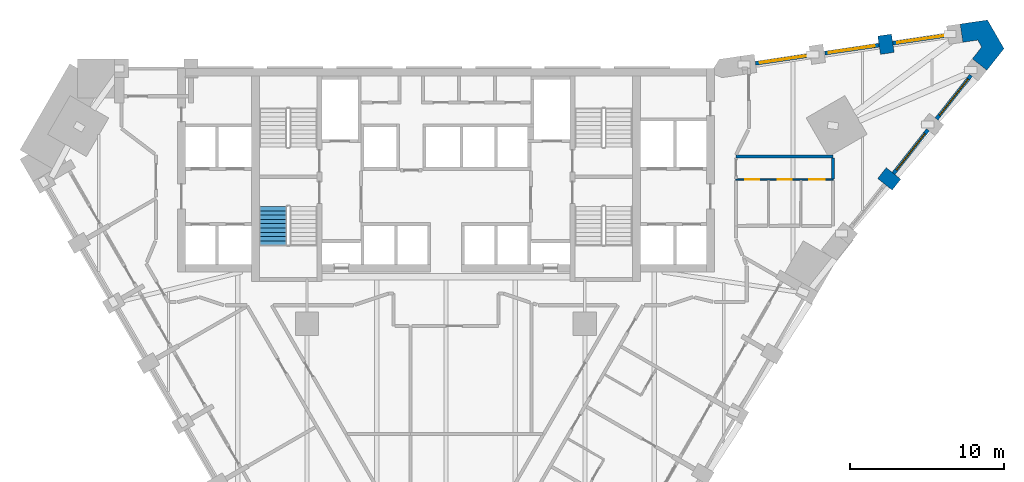
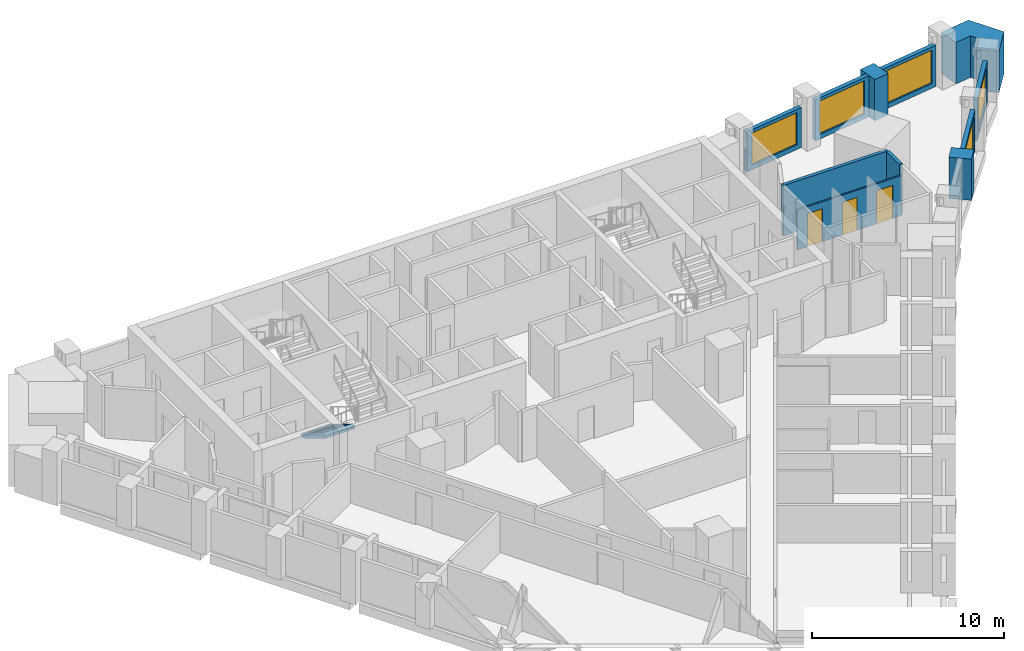
# One storey, part 9 of 11: 11 walls, 5 windows, 3 doors, 1 stair flight, 8 openings, 1 element without a shape of its own.
"""IFC4 building model written with IfcOpenShell, lengths in metres."""

from ifc_helpers import new_model, si_unit, direction, frame, frame_2d, origin, place, context, subcontext, project, spatial, polyline, rectangle, outline, extrude, faceted_brep, source, transform, mapped, material, layer, layer_set, type_object, element, fill, aggregate, save


model = new_model("IFC4")

# Units and contexts
model_context = context("Model", 3, precision=1e-05, world=origin(), true_north=direction((0.0, 1.0)))
body_context = subcontext(model_context, "Body", "Model", "MODEL_VIEW")
ifc_project = project(units=[si_unit("LENGTHUNIT", "METRE"), si_unit("AREAUNIT", "SQUARE_METRE"), si_unit("VOLUMEUNIT", "CUBIC_METRE"), si_unit("PLANEANGLEUNIT", "RADIAN"), si_unit("MASSUNIT", "GRAM", prefix="KILO")], contexts=[model_context])

# Site, building, storey
site_placement = place(None, origin())
site = spatial("IfcSite", under=ifc_project, at=site_placement, CompositionType="ELEMENT")
building_placement = place(site_placement, origin())
building = spatial("IfcBuilding", under=site, at=building_placement, Name="Calabash Gate Tower", CompositionType="ELEMENT")
storey_placement = place(building_placement, frame((0.0, 0.0, 119.0)))
storey = spatial("IfcBuildingStorey", under=building, at=storey_placement, Name="L27", CompositionType="ELEMENT", Elevation=119.0)

# Walls
ifc_material_1 = material(Name="Terracotta brick masonry, exposed face", Category="masonry")
ifc_layer_1 = layer(ifc_material_1, 1.199951171875)
ifc_layer_set_1 = layer_set([ifc_layer_1], Name="Brick end wall 1200")
wall_type_1 = type_object("IfcWallType", Name="Brick end wall 1200", PredefinedType="SOLIDWALL", material=ifc_layer_set_1)
for number, where, z_axis, x_axis, name in (
    (1, (29.204833984375, 11.5224609375, 0.0), (0.0, 0.0, 1.0), (-0.784330409431, 0.620343299184, 0.0), "Brick pier S07 wedge3.1"),
    (2, (28.43701171875, 21.217041015625, 0.0), (0.0, 0.0, 1.0), (0.145066385332, -0.989421924078, 0.0), "Brick pier S07 wedge5.1"),
):
    element("IfcWall", number, at=place(storey_placement, frame(where, z_axis=z_axis, x_axis=x_axis)), inside=storey, type_object=wall_type_1, Name=name, PredefinedType="SOLIDWALL", context=body_context, shape_type="SweptSolid", body=[
        extrude(rectangle(XDim=1.199951171875, YDim=0.89990234375, at=frame_2d((0.60009765625, 0.0))), origin(), (0.0, 0.0, 1.0), 2.6298828125),
    ])
wall_1_placement = place(storey_placement, origin())
element("IfcWall", 3, at=wall_1_placement, inside=storey, type_object=wall_type_1, Name="Brick end wall S07 2", PredefinedType="SOLIDWALL", context=body_context, shape_type="SweptSolid", body=[
    extrude(outline(polyline([(35.066650390625, 18.934814453125), (36.176513671875, 20.337890625), (35.104736328125, 22.1943359375), (33.334716796875, 21.934814453125), (33.5087890625, 20.74755859375), (34.472900390625, 20.888916015625), (34.72998046875, 20.443359375), (34.12548828125, 19.67919921875), (35.066650390625, 18.934814453125)])), origin(), (0.0, 0.0, 1.0), 2.64990234375),
])

# Wall, openings, doors
ifc_material_2 = material(Name="Gypsum board on steel studs, mineral wool", Category="steel")
ifc_layer_2 = layer(ifc_material_2, 0.10009765625)
ifc_layer_set_2 = layer_set([ifc_layer_2], Name="Partition 100 gypsum board")
wall_type_2 = type_object("IfcWallType", Name="Partition 100 gypsum board", PredefinedType="PARTITIONING", material=ifc_layer_set_2)
wall_2_placement = place(storey_placement, frame((18.80029296875, 11.850341796875, 0.0), z_axis=(0.0, 0.0, 1.0), x_axis=(1.0, 0.0, 0.0)))
wall_2 = element("IfcWall", 4, at=wall_2_placement, inside=storey, type_object=wall_type_2, Name="Partition", PredefinedType="PARTITIONING", context=body_context, shape_type="SweptSolid", body=[
    extrude(rectangle(XDim=6.2998046875, YDim=0.10009765625, at=frame_2d((3.14990234375, 0.0))), origin(), (0.0, 0.0, 1.0), 2.552001953125),
])
opening_1_placement = place(wall_2_placement, frame((0.599853515625, 0.0, 0.0)))
opening_1 = element("IfcOpeningElement", 5, at=opening_1_placement, cuts=wall_2, Name="Opening 25-27-019", PredefinedType="OPENING", context=body_context, shape_type="SweptSolid", body=[
    extrude(rectangle(XDim=0.89990234375, YDim=2.10009765625, at=frame_2d((0.449951171875, 1.050048828125))), frame((0.0, 0.06005859375, 0.0), z_axis=(0.0, -1.0, 0.0), x_axis=(1.0, 0.0, 0.0)), (0.0, 0.0, 1.0), 0.1201171875),
])
opening_2_placement = place(wall_2_placement, frame((2.699951171875, 0.0, 0.0)))
opening_2 = element("IfcOpeningElement", 6, at=opening_2_placement, cuts=wall_2, Name="Opening 25-27-020", PredefinedType="OPENING", context=body_context, shape_type="SweptSolid", body=[
    extrude(rectangle(XDim=0.89990234375, YDim=2.10009765625, at=frame_2d((0.449951171875, 1.050048828125))), frame((0.0, 0.06005859375, 0.0), z_axis=(0.0, -1.0, 0.0), x_axis=(1.0, 0.0, 0.0)), (0.0, 0.0, 1.0), 0.1201171875),
])
opening_3_placement = place(wall_2_placement, frame((4.75, 0.0, 0.0)))
opening_3 = element("IfcOpeningElement", 7, at=opening_3_placement, cuts=wall_2, Name="Opening 25-27-021", PredefinedType="OPENING", context=body_context, shape_type="SweptSolid", body=[
    extrude(rectangle(XDim=1.0, YDim=2.10009765625, at=frame_2d((0.5, 1.050048828125))), frame((0.0, 0.06005859375, 0.0), z_axis=(0.0, -1.0, 0.0), x_axis=(1.0, 0.0, 0.0)), (0.0, 0.0, 1.0), 0.1201171875),
])
ifc_material_3 = material(Name="Painted timber door", Category="wood")
door_type_1 = type_object("IfcDoorType", Name="WD1 WC door 900x2100", OperationType="NOTDEFINED", PredefinedType="DOOR", material=ifc_material_3)
door_1_placement = place(opening_1_placement, origin())
door_1 = element("IfcDoor", 8, at=door_1_placement, inside=storey, type_object=door_type_1, Name="WC door", OperationType="SINGLE_SWING_RIGHT", OverallHeight=2.10009765625, OverallWidth=0.89990234375, PredefinedType="DOOR", context=body_context, shape_type="SweptSolid", body=[
    extrude(rectangle(XDim=0.89990234375, YDim=2.10009765625, at=frame_2d((0.449951171875, 1.050048828125))), frame((0.0, 0.02490234375, 0.0), z_axis=(0.0, -1.0, 0.0), x_axis=(1.0, 0.0, 0.0)), (0.0, 0.0, 1.0), 0.050048828125),
])
fill(opening_1, door_1)
door_2_placement = place(opening_2_placement, origin())
door_2 = element("IfcDoor", 9, at=door_2_placement, inside=storey, type_object=door_type_1, Name="WC door", OperationType="SINGLE_SWING_RIGHT", OverallHeight=2.10009765625, OverallWidth=0.89990234375, PredefinedType="DOOR", context=body_context, shape_type="SweptSolid", body=[
    extrude(rectangle(XDim=0.89990234375, YDim=2.10009765625, at=frame_2d((0.449951171875, 1.050048828125))), frame((0.0, 0.02490234375, 0.0), z_axis=(0.0, -1.0, 0.0), x_axis=(1.0, 0.0, 0.0)), (0.0, 0.0, 1.0), 0.050048828125),
])
fill(opening_2, door_2)
ifc_material_4 = material(Name="Painted timber door", Category="wood")
door_type_2 = type_object("IfcDoorType", Name="WD2 Accessible WC door 1000x2100", OperationType="NOTDEFINED", PredefinedType="DOOR", material=ifc_material_4)
door_3_placement = place(opening_3_placement, origin())
door_3 = element("IfcDoor", 10, at=door_3_placement, inside=storey, type_object=door_type_2, Name="Accessible WC door", OperationType="SINGLE_SWING_LEFT", OverallHeight=2.10009765625, OverallWidth=1.0, PredefinedType="DOOR", context=body_context, shape_type="SweptSolid", body=[
    extrude(rectangle(XDim=1.0, YDim=2.10009765625, at=frame_2d((0.5, 1.050048828125))), frame((0.0, 0.02490234375, 0.0), z_axis=(0.0, -1.0, 0.0), x_axis=(1.0, 0.0, 0.0)), (0.0, 0.0, 1.0), 0.050048828125),
])
fill(opening_3, door_3)

# Walls
ifc_material_5 = material(Name="Gypsum board on steel studs, mineral wool", Category="steel")
ifc_layer_3 = layer(ifc_material_5, 0.199951171875)
ifc_layer_set_3 = layer_set([ifc_layer_3], Name="Partition 200 gypsum board EI 60")
wall_type_3 = type_object("IfcWallType", Name="Partition 200 gypsum board EI 60", PredefinedType="PARTITIONING", material=ifc_layer_set_3)
wall_3_placement = place(storey_placement, frame((25.098388671875, 11.90234375, 0.0), z_axis=(0.0, 0.0, 1.0), x_axis=(0.001085186556, 0.999999411185, 0.0)))
element("IfcWall", 11, at=wall_3_placement, inside=storey, type_object=wall_type_3, Name="Partition", PredefinedType="PARTITIONING", context=body_context, shape_type="SweptSolid", body=[
    extrude(rectangle(XDim=1.349853515625, YDim=0.199951171875, at=frame_2d((0.6748046875, 0.0))), origin(), (0.0, 0.0, 1.0), 3.22998046875),
])
wall_4_placement = place(storey_placement, frame((18.802001953125, 13.3505859375, 0.0), z_axis=(0.0, 0.0, 1.0), x_axis=(0.999999963185, 0.000271349372, 0.0)))
element("IfcWall", 12, at=wall_4_placement, inside=storey, type_object=wall_type_3, Name="Partition", PredefinedType="PARTITIONING", context=body_context, shape_type="SweptSolid", body=[
    extrude(rectangle(XDim=6.298095703125, YDim=0.199951171875, at=frame_2d((3.14892578125, 0.0))), origin(), (0.0, 0.0, 1.0), 3.22998046875),
])

# Wall, opening, window
ifc_material_6 = material(Name="Aluminium framed window wall with insulated spandrel", Category="aluminium")
ifc_layer_4 = layer(ifc_material_6, 0.25)
ifc_layer_set_4 = layer_set([ifc_layer_4], Name="Prow window wall 250")
wall_type_4 = type_object("IfcWallType", Name="Prow window wall 250", PredefinedType="ELEMENTEDWALL", material=ifc_layer_set_4)
wall_5_placement = place(storey_placement, frame((29.013427734375, 12.24755859375, 0.0), z_axis=(0.0, 0.0, 1.0), x_axis=(0.620310302622, 0.784356505972, 0.0)))
wall_5 = element("IfcWall", 13, at=wall_5_placement, inside=storey, type_object=wall_type_4, Name="Prow window wall S07 wedge3.2", PredefinedType="ELEMENTEDWALL", context=body_context, shape_type="SweptSolid", body=[
    extrude(rectangle(XDim=3.60009765625, YDim=0.25, at=frame_2d((1.800048828125, 0.0))), origin(), (0.0, 0.0, 1.0), 2.6298828125),
])
opening_4_placement = place(wall_5_placement, frame((0.300048828125, 0.0, 0.300048828125)))
opening_4 = element("IfcOpeningElement", 14, at=opening_4_placement, cuts=wall_5, Name="Opening WP1L-2130", PredefinedType="OPENING", context=body_context, shape_type="SweptSolid", body=[
    extrude(rectangle(XDim=3.0, YDim=2.1298828125, at=frame_2d((1.5, 1.06494140625))), frame((0.0, 0.135009765625, 0.0), z_axis=(0.0, -1.0, 0.0), x_axis=(1.0, 0.0, 0.0)), (0.0, 0.0, 1.0), 0.27001953125),
])
ifc_material_7 = material(Name="Anodised aluminium frame, bronze finish, impact-rated laminated clear glazing", Category="aluminium")
window_type_1 = type_object("IfcWindowType", Name="Window WP1L 3000x2130", PartitioningType="DOUBLE_PANEL_VERTICAL", PredefinedType="WINDOW", material=ifc_material_7)
window_1_placement = place(opening_4_placement, origin())
window_1 = element("IfcWindow", 15, at=window_1_placement, inside=storey, type_object=window_type_1, Name="Prow window WP1L S07 wedge3.2", OverallHeight=2.1298828125, OverallWidth=3.0, PartitioningType="SINGLE_PANEL", PredefinedType="WINDOW", context=body_context, shape_type="SweptSolid", body=[
    extrude(rectangle(XDim=3.0, YDim=2.1298828125, at=frame_2d((1.5, 1.06494140625))), frame((0.0, 0.030029296875, 0.0), z_axis=(0.0, -1.0, 0.0), x_axis=(1.0, 0.0, 0.0)), (0.0, 0.0, 1.0), 0.06005859375),
])
fill(opening_4, window_1)

wall_6_placement = place(storey_placement, frame((31.804931640625, 15.77734375, 0.0), z_axis=(0.0, 0.0, 1.0), x_axis=(0.620301575857, 0.784363407477, 0.0)))
wall_6 = element("IfcWall", 16, at=wall_6_placement, inside=storey, type_object=wall_type_4, Name="Prow window wall S07 wedge3.3", PredefinedType="ELEMENTEDWALL", context=body_context, shape_type="SweptSolid", body=[
    extrude(rectangle(XDim=3.599609375, YDim=0.25, at=frame_2d((1.7998046875, 0.0))), origin(), (0.0, 0.0, 1.0), 2.6298828125),
])
opening_5_placement = place(wall_6_placement, frame((0.300048828125, 0.0, 0.300048828125)))
opening_5 = element("IfcOpeningElement", 17, at=opening_5_placement, cuts=wall_6, Name="Opening WP1L-2130", PredefinedType="OPENING", context=body_context, shape_type="SweptSolid", body=[
    extrude(rectangle(XDim=3.0, YDim=2.1298828125, at=frame_2d((1.5, 1.06494140625))), frame((0.0, 0.135009765625, 0.0), z_axis=(0.0, -1.0, 0.0), x_axis=(1.0, 0.0, 0.0)), (0.0, 0.0, 1.0), 0.27001953125),
])
window_2_placement = place(opening_5_placement, origin())
window_2 = element("IfcWindow", 18, at=window_2_placement, inside=storey, type_object=window_type_1, Name="Prow window WP1L S07 wedge3.3", OverallHeight=2.1298828125, OverallWidth=3.0, PartitioningType="SINGLE_PANEL", PredefinedType="WINDOW", context=body_context, shape_type="SweptSolid", body=[
    extrude(rectangle(XDim=3.0, YDim=2.1298828125, at=frame_2d((1.5, 1.06494140625))), frame((0.0, 0.030029296875, 0.0), z_axis=(0.0, -1.0, 0.0), x_axis=(1.0, 0.0, 0.0)), (0.0, 0.0, 1.0), 0.06005859375),
])
fill(opening_5, window_2)

wall_7_placement = place(storey_placement, frame((32.481689453125, 21.203369140625, 0.0), z_axis=(0.0, 0.0, 1.0), x_axis=(-0.989427410985, -0.145028957081, 0.0)))
wall_7 = element("IfcWall", 19, at=wall_7_placement, inside=storey, type_object=wall_type_4, Name="Prow window wall S07 wedge5.1", PredefinedType="ELEMENTEDWALL", context=body_context, shape_type="SweptSolid", body=[
    extrude(rectangle(XDim=3.552001953125, YDim=0.25, at=frame_2d((1.77587890625, 0.0))), origin(), (0.0, 0.0, 1.0), 2.6298828125),
])
opening_6_placement = place(wall_7_placement, frame((0.25, 0.0, 0.300048828125)))
opening_6 = element("IfcOpeningElement", 20, at=opening_6_placement, cuts=wall_7, Name="Opening WP1L-2130", PredefinedType="OPENING", context=body_context, shape_type="SweptSolid", body=[
    extrude(rectangle(XDim=3.0, YDim=2.1298828125, at=frame_2d((1.5, 1.06494140625))), frame((0.0, 0.135009765625, 0.0), z_axis=(0.0, -1.0, 0.0), x_axis=(1.0, 0.0, 0.0)), (0.0, 0.0, 1.0), 0.27001953125),
])
window_3_placement = place(opening_6_placement, origin())
window_3 = element("IfcWindow", 21, at=window_3_placement, inside=storey, type_object=window_type_1, Name="Prow window WP1L S07 wedge5.1", OverallHeight=2.1298828125, OverallWidth=3.0, PartitioningType="SINGLE_PANEL", PredefinedType="WINDOW", context=body_context, shape_type="SweptSolid", body=[
    extrude(rectangle(XDim=3.0, YDim=2.1298828125, at=frame_2d((1.5, 1.06494140625))), frame((0.0, 0.030029296875, 0.0), z_axis=(0.0, -1.0, 0.0), x_axis=(1.0, 0.0, 0.0)), (0.0, 0.0, 1.0), 0.06005859375),
])
fill(opening_6, window_3)

wall_8_placement = place(storey_placement, frame((28.080810546875, 20.558349609375, 0.0), z_axis=(0.0, 0.0, 1.0), x_axis=(-0.989427410985, -0.145028957081, 0.0)))
wall_8 = element("IfcWall", 22, at=wall_8_placement, inside=storey, type_object=wall_type_4, Name="Prow window wall S07 wedge5.2", PredefinedType="ELEMENTEDWALL", context=body_context, shape_type="SweptSolid", body=[
    extrude(rectangle(XDim=3.552001953125, YDim=0.25, at=frame_2d((1.77587890625, 0.0))), origin(), (0.0, 0.0, 1.0), 2.6298828125),
])
opening_7_placement = place(wall_8_placement, frame((0.302001953125, 0.0, 0.300048828125)))
opening_7 = element("IfcOpeningElement", 23, at=opening_7_placement, cuts=wall_8, Name="Opening WP1L-2130", PredefinedType="OPENING", context=body_context, shape_type="SweptSolid", body=[
    extrude(rectangle(XDim=3.0, YDim=2.1298828125, at=frame_2d((1.5, 1.06494140625))), frame((0.0, 0.135009765625, 0.0), z_axis=(0.0, -1.0, 0.0), x_axis=(1.0, 0.0, 0.0)), (0.0, 0.0, 1.0), 0.27001953125),
])
window_4_placement = place(opening_7_placement, origin())
window_4 = element("IfcWindow", 24, at=window_4_placement, inside=storey, type_object=window_type_1, Name="Prow window WP1L S07 wedge5.2", OverallHeight=2.1298828125, OverallWidth=3.0, PartitioningType="SINGLE_PANEL", PredefinedType="WINDOW", context=body_context, shape_type="SweptSolid", body=[
    extrude(rectangle(XDim=3.0, YDim=2.1298828125, at=frame_2d((1.5, 1.06494140625))), frame((0.0, 0.030029296875, 0.0), z_axis=(0.0, -1.0, 0.0), x_axis=(1.0, 0.0, 0.0)), (0.0, 0.0, 1.0), 0.06005859375),
])
fill(opening_7, window_4)

wall_9_placement = place(storey_placement, frame((23.626220703125, 19.905517578125, 0.0), z_axis=(0.0, 0.0, 1.0), x_axis=(-0.989431656237, -0.144999991846, 0.0)))
wall_9 = element("IfcWall", 25, at=wall_9_placement, inside=storey, type_object=wall_type_4, Name="Prow window wall S07 wedge5.3", PredefinedType="ELEMENTEDWALL", context=body_context, shape_type="SweptSolid", body=[
    extrude(rectangle(XDim=3.599853515625, YDim=0.25, at=frame_2d((1.7998046875, 0.0))), origin(), (0.0, 0.0, 1.0), 2.552001953125),
])
opening_8_placement = place(wall_9_placement, frame((0.300048828125, 0.0, 0.300048828125)))
opening_8 = element("IfcOpeningElement", 26, at=opening_8_placement, cuts=wall_9, Name="Opening WP1L-2050", PredefinedType="OPENING", context=body_context, shape_type="SweptSolid", body=[
    extrude(rectangle(XDim=3.0, YDim=2.050048828125, at=frame_2d((1.5, 1.02490234375))), frame((0.0, 0.135009765625, 0.0), z_axis=(0.0, -1.0, 0.0), x_axis=(1.0, 0.0, 0.0)), (0.0, 0.0, 1.0), 0.27001953125),
])
ifc_material_8 = material(Name="Anodised aluminium frame, bronze finish, impact-rated laminated clear glazing", Category="aluminium")
window_type_2 = type_object("IfcWindowType", Name="Window WP1L 3000x2050", PartitioningType="DOUBLE_PANEL_VERTICAL", PredefinedType="WINDOW", material=ifc_material_8)
window_5_placement = place(opening_8_placement, origin())
window_5 = element("IfcWindow", 27, at=window_5_placement, inside=storey, type_object=window_type_2, Name="Prow window WP1L S07 wedge5.3", OverallHeight=2.050048828125, OverallWidth=3.0, PartitioningType="SINGLE_PANEL", PredefinedType="WINDOW", context=body_context, shape_type="SweptSolid", body=[
    extrude(rectangle(XDim=3.0, YDim=2.050048828125, at=frame_2d((1.5, 1.02490234375))), frame((0.0, 0.030029296875, 0.0), z_axis=(0.0, -1.0, 0.0), x_axis=(1.0, 0.0, 0.0)), (0.0, 0.0, 1.0), 0.06005859375),
])
fill(opening_8, window_5)

# Stair, stair flight
ifc_material_9 = material(Name="Concrete C40/50", Category="concrete")
stair_type = type_object("IfcStairType", Name="Exit stair 20 risers of 170 mm", PredefinedType="HALF_TURN_STAIR", material=ifc_material_9)
stair_placement = place(storey_placement, origin())
stair = element("IfcStair", 28, at=stair_placement, inside=storey, type_object=stair_type, Name="L27 Exit stair ST2", PredefinedType="HALF_TURN_STAIR")
ifc_material_10 = material(Name="Concrete C40/50", Category="concrete")
stair_flight_type = type_object("IfcStairFlightType", Name="Exit stair flight SFL", PredefinedType="STRAIGHT", material=ifc_material_10)
shared_shape = source(origin(), body_context, "Body", "Brep", [
    faceted_brep([(-0.0009765625, -0.89990234375, 0.0), (0.2880859375, -0.89990234375, 0.0), (2.511962890625, -0.89990234375, 1.3544921875), (-0.0009765625, 0.89990234375, 0.0), (2.511962890625, 0.89990234375, 1.3544921875), (0.2880859375, 0.89990234375, 0.0), (2.511962890625, -0.89990234375, 1.5419921875), (2.510986328125, -0.89990234375, 1.5419921875), (2.510986328125, 0.89990234375, 1.5419921875), (2.511962890625, 0.89990234375, 1.5419921875), (2.510986328125, -0.89990234375, 1.530029296875), (2.510986328125, 0.89990234375, 1.530029296875), (2.23193359375, -0.89990234375, 1.530029296875), (2.23193359375, 0.89990234375, 1.530029296875), (2.23193359375, -0.89990234375, 1.360107421875), (2.23193359375, 0.89990234375, 1.360107421875), (1.952880859375, -0.89990234375, 1.360107421875), (1.952880859375, 0.89990234375, 1.360107421875), (1.952880859375, -0.89990234375, 1.18994140625), (1.952880859375, 0.89990234375, 1.18994140625), (1.674072265625, -0.89990234375, 1.18994140625), (1.674072265625, -0.89990234375, 1.02001953125), (1.674072265625, 0.89990234375, 1.02001953125), (1.674072265625, 0.89990234375, 1.18994140625), (1.39501953125, -0.89990234375, 1.02001953125), (1.39501953125, -0.89990234375, 0.85009765625), (1.39501953125, 0.89990234375, 0.85009765625), (1.39501953125, 0.89990234375, 1.02001953125), (1.115966796875, -0.89990234375, 0.85009765625), (1.115966796875, -0.89990234375, 0.679931640625), (1.115966796875, 0.89990234375, 0.679931640625), (1.115966796875, 0.89990234375, 0.85009765625), (0.8369140625, -0.89990234375, 0.679931640625), (0.8369140625, -0.89990234375, 0.510009765625), (0.8369140625, 0.89990234375, 0.510009765625), (0.8369140625, 0.89990234375, 0.679931640625), (0.55810546875, -0.89990234375, 0.510009765625), (0.55810546875, -0.89990234375, 0.340087890625), (0.55810546875, 0.89990234375, 0.340087890625), (0.55810546875, 0.89990234375, 0.510009765625), (0.279052734375, -0.89990234375, 0.340087890625), (0.279052734375, -0.89990234375, 0.169921875), (0.279052734375, 0.89990234375, 0.169921875), (0.279052734375, 0.89990234375, 0.340087890625), (-0.0009765625, -0.89990234375, 0.169921875), (-0.0009765625, 0.89990234375, 0.169921875), (0.2880859375, -0.360107421875, 0.0), (2.511962890625, -0.360107421875, 1.3544921875), (0.2880859375, -0.179931640625, 0.0), (2.511962890625, -0.179931640625, 1.3544921875), (0.2880859375, 0.0, 0.0), (2.511962890625, 0.0, 1.3544921875), (0.2880859375, 0.179931640625, 0.0), (2.511962890625, 0.179931640625, 1.3544921875), (0.2880859375, 0.360107421875, 0.0), (2.511962890625, 0.360107421875, 1.3544921875), (2.511962890625, -0.360107421875, 1.5419921875), (2.511962890625, -0.179931640625, 1.5419921875), (2.511962890625, 0.0, 1.5419921875), (2.511962890625, 0.179931640625, 1.5419921875), (2.511962890625, 0.360107421875, 1.5419921875), (2.510986328125, -0.360107421875, 1.5419921875), (2.510986328125, -0.179931640625, 1.5419921875), (2.510986328125, 0.0, 1.5419921875), (2.510986328125, 0.179931640625, 1.5419921875), (2.510986328125, 0.360107421875, 1.5419921875), (2.510986328125, -0.360107421875, 1.530029296875), (2.510986328125, -0.179931640625, 1.530029296875), (2.510986328125, 0.0, 1.530029296875), (2.510986328125, 0.179931640625, 1.530029296875), (2.510986328125, 0.360107421875, 1.530029296875), (2.23193359375, -0.360107421875, 1.530029296875), (2.23193359375, -0.179931640625, 1.530029296875), (2.23193359375, 0.0, 1.530029296875), (2.23193359375, 0.179931640625, 1.530029296875), (2.23193359375, 0.360107421875, 1.530029296875), (2.23193359375, -0.360107421875, 1.360107421875), (2.23193359375, -0.179931640625, 1.360107421875), (2.23193359375, 0.0, 1.360107421875), (2.23193359375, 0.179931640625, 1.360107421875), (2.23193359375, 0.360107421875, 1.360107421875), (1.952880859375, -0.360107421875, 1.360107421875), (1.952880859375, -0.179931640625, 1.360107421875), (1.952880859375, 0.0, 1.360107421875), (1.952880859375, 0.179931640625, 1.360107421875), (1.952880859375, 0.360107421875, 1.360107421875), (1.952880859375, -0.360107421875, 1.18994140625), (1.952880859375, -0.179931640625, 1.18994140625), (1.952880859375, 0.0, 1.18994140625), (1.952880859375, 0.179931640625, 1.18994140625), (1.952880859375, 0.360107421875, 1.18994140625), (1.674072265625, -0.360107421875, 1.18994140625), (1.674072265625, -0.179931640625, 1.18994140625), (1.674072265625, 0.0, 1.18994140625), (1.674072265625, 0.179931640625, 1.18994140625), (1.674072265625, 0.360107421875, 1.18994140625), (1.674072265625, -0.360107421875, 1.02001953125), (1.674072265625, -0.179931640625, 1.02001953125), (1.674072265625, 0.0, 1.02001953125), (1.674072265625, 0.179931640625, 1.02001953125), (1.674072265625, 0.360107421875, 1.02001953125), (1.39501953125, -0.360107421875, 1.02001953125), (1.39501953125, -0.179931640625, 1.02001953125), (1.39501953125, 0.0, 1.02001953125), (1.39501953125, 0.179931640625, 1.02001953125), (1.39501953125, 0.360107421875, 1.02001953125), (1.39501953125, -0.360107421875, 0.85009765625), (1.39501953125, -0.179931640625, 0.85009765625), (1.39501953125, 0.0, 0.85009765625), (1.39501953125, 0.179931640625, 0.85009765625), (1.39501953125, 0.360107421875, 0.85009765625), (1.115966796875, -0.360107421875, 0.85009765625), (1.115966796875, -0.179931640625, 0.85009765625), (1.115966796875, 0.0, 0.85009765625), (1.115966796875, 0.179931640625, 0.85009765625), (1.115966796875, 0.360107421875, 0.85009765625), (1.115966796875, -0.360107421875, 0.679931640625), (1.115966796875, -0.179931640625, 0.679931640625), (1.115966796875, 0.0, 0.679931640625), (1.115966796875, 0.179931640625, 0.679931640625), (1.115966796875, 0.360107421875, 0.679931640625), (0.8369140625, -0.360107421875, 0.679931640625), (0.8369140625, -0.179931640625, 0.679931640625), (0.8369140625, 0.0, 0.679931640625), (0.8369140625, 0.179931640625, 0.679931640625), (0.8369140625, 0.360107421875, 0.679931640625), (0.8369140625, -0.360107421875, 0.510009765625), (0.8369140625, -0.179931640625, 0.510009765625), (0.8369140625, 0.0, 0.510009765625), (0.8369140625, 0.179931640625, 0.510009765625), (0.8369140625, 0.360107421875, 0.510009765625), (0.55810546875, -0.360107421875, 0.510009765625), (0.55810546875, -0.179931640625, 0.510009765625), (0.55810546875, 0.0, 0.510009765625), (0.55810546875, 0.179931640625, 0.510009765625), (0.55810546875, 0.360107421875, 0.510009765625), (0.55810546875, -0.360107421875, 0.340087890625), (0.55810546875, -0.179931640625, 0.340087890625), (0.55810546875, 0.0, 0.340087890625), (0.55810546875, 0.179931640625, 0.340087890625), (0.55810546875, 0.360107421875, 0.340087890625), (0.279052734375, -0.360107421875, 0.340087890625), (0.279052734375, -0.179931640625, 0.340087890625), (0.279052734375, 0.0, 0.340087890625), (0.279052734375, 0.179931640625, 0.340087890625), (0.279052734375, 0.360107421875, 0.340087890625), (0.279052734375, -0.360107421875, 0.169921875), (0.279052734375, -0.179931640625, 0.169921875), (0.279052734375, 0.0, 0.169921875), (0.279052734375, 0.179931640625, 0.169921875), (0.279052734375, 0.360107421875, 0.169921875), (-0.0009765625, -0.360107421875, 0.169921875), (-0.0009765625, -0.179931640625, 0.169921875), (-0.0009765625, 0.0, 0.169921875), (-0.0009765625, 0.179931640625, 0.169921875), (-0.0009765625, 0.360107421875, 0.169921875), (-0.0009765625, -0.360107421875, 0.0), (-0.0009765625, -0.179931640625, 0.0), (-0.0009765625, 0.0, 0.0), (-0.0009765625, 0.179931640625, 0.0), (-0.0009765625, 0.360107421875, 0.0)], [[[0, 1, 2]], [[3, 4, 5]], [[2, 6, 7]], [[4, 8, 9]], [[2, 7, 10]], [[4, 11, 8]], [[2, 10, 12]], [[4, 13, 11]], [[2, 12, 14]], [[4, 15, 13]], [[2, 14, 16]], [[4, 17, 15]], [[2, 16, 18]], [[4, 19, 17]], [[18, 20, 21]], [[19, 22, 23]], [[2, 18, 21]], [[4, 22, 19]], [[21, 24, 25]], [[22, 26, 27]], [[2, 21, 25]], [[4, 26, 22]], [[25, 28, 29]], [[26, 30, 31]], [[2, 25, 29]], [[4, 30, 26]], [[29, 32, 33]], [[30, 34, 35]], [[2, 29, 33]], [[4, 34, 30]], [[33, 36, 37]], [[34, 38, 39]], [[2, 33, 37]], [[4, 38, 34]], [[37, 40, 41]], [[38, 42, 43]], [[2, 37, 41]], [[4, 42, 38]], [[0, 2, 41]], [[3, 42, 4]], [[41, 44, 0]], [[42, 3, 45]], [[1, 46, 2]], [[46, 47, 2]], [[46, 48, 47]], [[48, 49, 47]], [[48, 50, 49]], [[50, 51, 49]], [[50, 52, 53]], [[50, 53, 51]], [[52, 54, 55]], [[52, 55, 53]], [[54, 5, 4]], [[54, 4, 55]], [[2, 47, 6]], [[47, 56, 6]], [[47, 49, 56]], [[49, 57, 56]], [[49, 51, 57]], [[51, 58, 57]], [[51, 53, 59]], [[51, 59, 58]], [[53, 55, 60]], [[53, 60, 59]], [[55, 4, 9]], [[55, 9, 60]], [[6, 56, 7]], [[56, 61, 7]], [[56, 57, 61]], [[57, 62, 61]], [[57, 58, 62]], [[58, 63, 62]], [[58, 59, 64]], [[58, 64, 63]], [[59, 60, 65]], [[59, 65, 64]], [[60, 9, 8]], [[60, 8, 65]], [[7, 61, 10]], [[61, 66, 10]], [[61, 62, 66]], [[62, 67, 66]], [[62, 63, 67]], [[63, 68, 67]], [[63, 64, 69]], [[63, 69, 68]], [[64, 65, 70]], [[64, 70, 69]], [[65, 8, 11]], [[65, 11, 70]], [[10, 66, 12]], [[66, 71, 12]], [[66, 67, 71]], [[67, 72, 71]], [[67, 68, 72]], [[68, 73, 72]], [[68, 69, 74]], [[68, 74, 73]], [[69, 70, 75]], [[69, 75, 74]], [[70, 11, 13]], [[70, 13, 75]], [[12, 71, 14]], [[71, 76, 14]], [[71, 72, 76]], [[72, 77, 76]], [[72, 73, 77]], [[73, 78, 77]], [[73, 74, 79]], [[73, 79, 78]], [[74, 75, 80]], [[74, 80, 79]], [[75, 13, 15]], [[75, 15, 80]], [[14, 76, 16]], [[76, 81, 16]], [[76, 77, 81]], [[77, 82, 81]], [[77, 78, 82]], [[78, 83, 82]], [[78, 79, 84]], [[78, 84, 83]], [[79, 80, 85]], [[79, 85, 84]], [[80, 15, 17]], [[80, 17, 85]], [[16, 81, 18]], [[81, 86, 18]], [[81, 82, 86]], [[82, 87, 86]], [[82, 83, 87]], [[83, 88, 87]], [[83, 84, 89]], [[83, 89, 88]], [[84, 85, 90]], [[84, 90, 89]], [[85, 17, 19]], [[85, 19, 90]], [[18, 86, 20]], [[86, 91, 20]], [[86, 87, 91]], [[87, 92, 91]], [[87, 88, 92]], [[88, 93, 92]], [[88, 89, 94]], [[88, 94, 93]], [[89, 90, 95]], [[89, 95, 94]], [[90, 19, 23]], [[90, 23, 95]], [[20, 91, 21]], [[91, 96, 21]], [[91, 92, 96]], [[92, 97, 96]], [[92, 93, 97]], [[93, 98, 97]], [[93, 94, 99]], [[93, 99, 98]], [[94, 95, 100]], [[94, 100, 99]], [[95, 23, 22]], [[95, 22, 100]], [[21, 96, 24]], [[96, 101, 24]], [[96, 97, 101]], [[97, 102, 101]], [[97, 98, 102]], [[98, 103, 102]], [[98, 99, 104]], [[98, 104, 103]], [[99, 100, 105]], [[99, 105, 104]], [[100, 22, 27]], [[100, 27, 105]], [[24, 101, 25]], [[101, 106, 25]], [[101, 102, 106]], [[102, 107, 106]], [[102, 103, 107]], [[103, 108, 107]], [[103, 104, 109]], [[103, 109, 108]], [[104, 105, 110]], [[104, 110, 109]], [[105, 27, 26]], [[105, 26, 110]], [[25, 106, 28]], [[106, 111, 28]], [[106, 107, 111]], [[107, 112, 111]], [[107, 108, 112]], [[108, 113, 112]], [[108, 109, 114]], [[108, 114, 113]], [[109, 110, 115]], [[109, 115, 114]], [[110, 26, 31]], [[110, 31, 115]], [[28, 111, 29]], [[111, 116, 29]], [[111, 112, 116]], [[112, 117, 116]], [[112, 113, 117]], [[113, 118, 117]], [[113, 114, 119]], [[113, 119, 118]], [[114, 115, 120]], [[114, 120, 119]], [[115, 31, 30]], [[115, 30, 120]], [[29, 116, 32]], [[116, 121, 32]], [[116, 117, 121]], [[117, 122, 121]], [[117, 118, 122]], [[118, 123, 122]], [[118, 119, 124]], [[118, 124, 123]], [[119, 120, 125]], [[119, 125, 124]], [[120, 30, 35]], [[120, 35, 125]], [[32, 121, 33]], [[121, 126, 33]], [[121, 122, 126]], [[122, 127, 126]], [[122, 123, 127]], [[123, 128, 127]], [[123, 124, 129]], [[123, 129, 128]], [[124, 125, 130]], [[124, 130, 129]], [[125, 35, 34]], [[125, 34, 130]], [[33, 126, 36]], [[126, 131, 36]], [[126, 127, 131]], [[127, 132, 131]], [[127, 128, 132]], [[128, 133, 132]], [[128, 129, 134]], [[128, 134, 133]], [[129, 130, 135]], [[129, 135, 134]], [[130, 34, 39]], [[130, 39, 135]], [[36, 131, 37]], [[131, 136, 37]], [[131, 132, 136]], [[132, 137, 136]], [[132, 133, 137]], [[133, 138, 137]], [[133, 134, 139]], [[133, 139, 138]], [[134, 135, 140]], [[134, 140, 139]], [[135, 39, 38]], [[135, 38, 140]], [[37, 136, 40]], [[136, 141, 40]], [[136, 137, 141]], [[137, 142, 141]], [[137, 138, 142]], [[138, 143, 142]], [[138, 139, 144]], [[138, 144, 143]], [[139, 140, 145]], [[139, 145, 144]], [[140, 38, 43]], [[140, 43, 145]], [[40, 141, 41]], [[141, 146, 41]], [[141, 142, 146]], [[142, 147, 146]], [[142, 143, 147]], [[143, 148, 147]], [[143, 144, 149]], [[143, 149, 148]], [[144, 145, 150]], [[144, 150, 149]], [[145, 43, 42]], [[145, 42, 150]], [[41, 146, 44]], [[146, 151, 44]], [[146, 147, 151]], [[147, 152, 151]], [[147, 148, 152]], [[148, 153, 152]], [[148, 149, 154]], [[148, 154, 153]], [[149, 150, 155]], [[149, 155, 154]], [[150, 42, 45]], [[150, 45, 155]], [[44, 151, 0]], [[151, 156, 0]], [[151, 152, 156]], [[152, 157, 156]], [[152, 153, 157]], [[153, 158, 157]], [[153, 154, 159]], [[153, 159, 158]], [[154, 155, 160]], [[154, 160, 159]], [[155, 45, 3]], [[155, 3, 160]], [[0, 156, 1]], [[156, 46, 1]], [[156, 157, 46]], [[157, 48, 46]], [[157, 158, 48]], [[158, 50, 48]], [[158, 159, 52]], [[158, 52, 50]], [[159, 160, 54]], [[159, 54, 52]], [[160, 3, 5]], [[160, 5, 54]]]),
])
stair_flight_placement = place(storey_placement, frame((-11.199951171875, 10.1025390625, 0.0), z_axis=(0.0, 0.0, 1.0), x_axis=(0.0, -1.0, 0.0)))
stair_flight = element("IfcStairFlight", 29, at=stair_flight_placement, type_object=stair_flight_type, Name="ST2 flight 1", NumberOfRisers=10, NumberOfTreads=9, PredefinedType="STRAIGHT", RiserHeight=0.17, TreadLength=0.279, context=body_context, shape_type="MappedRepresentation", body=[
    mapped(shared_shape, transform((0.0, 0.0, 0.0), scale=1.0)),
])
aggregate(stair, [stair_flight])

save(model, "model.ifc")
